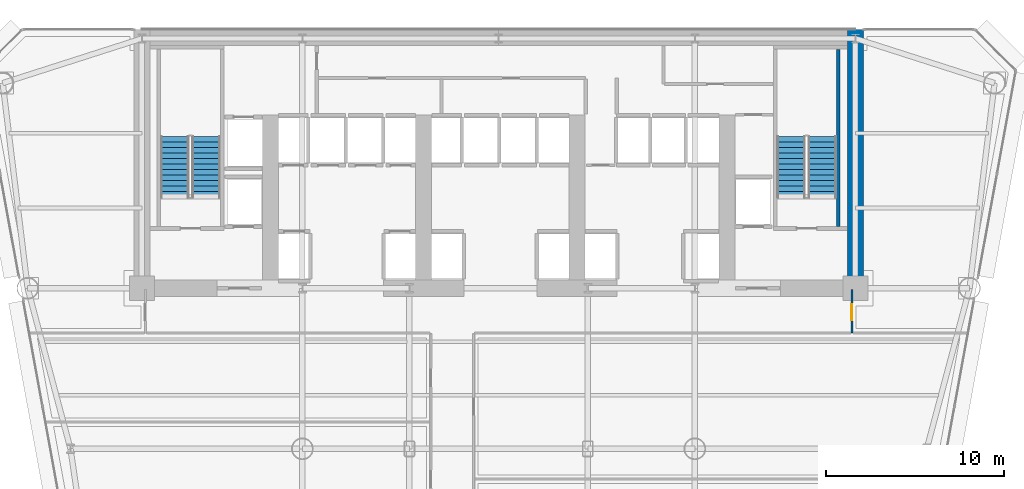
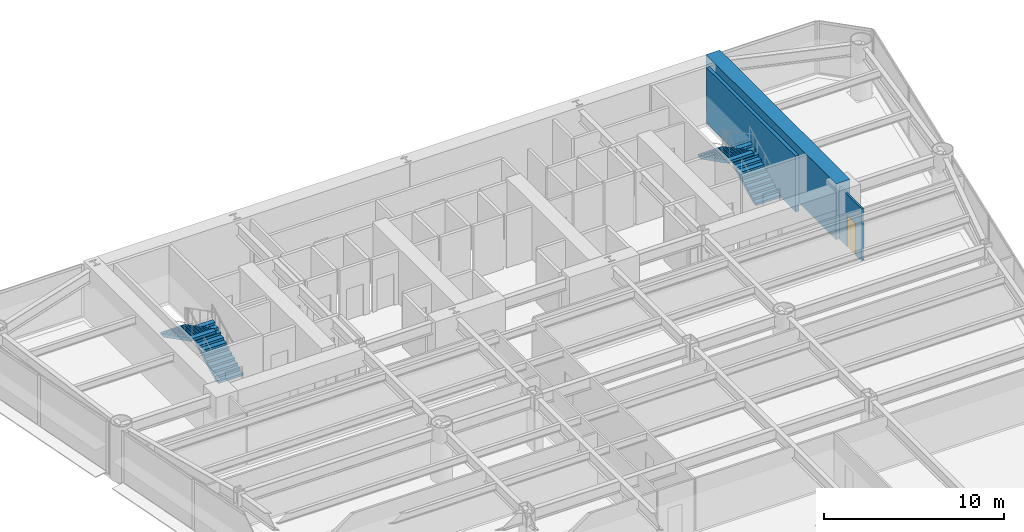
# One storey, part 10 of 14: 4 stair flights, 3 walls, 1 door, 1 opening, 2 elements without a shape of their own.
"""IFC4 building model written with IfcOpenShell, lengths in metres."""

from ifc_helpers import new_model, si_unit, direction, frame, frame_2d, origin, place, context, subcontext, project, spatial, polyline, rectangle, outline, extrude, source, transform, mapped, material, layer, layer_set, type_object, element, fill, aggregate, save


model = new_model("IFC4")

# Units and contexts
model_context = context("Model", 3, precision=1e-05, world=origin(), true_north=direction((0.0, 1.0)))
body_context = subcontext(model_context, "Body", "Model", "MODEL_VIEW")
ifc_project = project(units=[si_unit("LENGTHUNIT", "METRE"), si_unit("AREAUNIT", "SQUARE_METRE"), si_unit("VOLUMEUNIT", "CUBIC_METRE"), si_unit("PLANEANGLEUNIT", "RADIAN"), si_unit("MASSUNIT", "GRAM", prefix="KILO")], contexts=[model_context])

# Site, building, storey
site_placement = place(None, origin())
site = spatial("IfcSite", under=ifc_project, at=site_placement, CompositionType="ELEMENT")
building_placement = place(site_placement, origin())
building = spatial("IfcBuilding", under=site, at=building_placement, Name="Vaeldorn Concourse Tower", CompositionType="ELEMENT")
storey_placement = place(building_placement, frame((0.0, 0.0, 75.800048828125)))
storey = spatial("IfcBuildingStorey", under=building, at=storey_placement, Name="L19", CompositionType="ELEMENT", Elevation=75.800048828125)

# Wall
ifc_material_1 = material(Name="Concrete C60/75", Category="concrete")
ifc_layer_1 = layer(ifc_material_1, 0.89990234375)
ifc_layer_set_1 = layer_set([ifc_layer_1], Name="Concrete C60/75")
wall_type_1 = type_object("IfcWallType", Name="WL-CORE-900", PredefinedType="SHEAR", material=ifc_layer_set_1)
wall_1_placement = place(storey_placement, frame((54.0, 36.5, 0.0), z_axis=(0.0, 0.0, 1.0), x_axis=(0.0, 1.0, 0.0)))
element("IfcWall", 1, at=wall_1_placement, inside=storey, type_object=wall_type_1, Name="Rear Core Shear Wall L19 E1", PredefinedType="SHEAR", context=body_context, shape_type="SweptSolid", body=[
    extrude(rectangle(XDim=14.5, YDim=0.89990234375, at=frame_2d((7.25, 0.0))), origin(), (0.0, 0.0, 1.0), 3.800048828125),
])

# Wall, opening, door
ifc_material_2 = material(Name="Gypsum Board Partition", Category="gypsum")
ifc_layer_2 = layer(ifc_material_2, 0.1201171875)
ifc_layer_set_2 = layer_set([ifc_layer_2], Name="Gypsum Board Partition")
wall_type_2 = type_object("IfcWallType", Name="WL-PART-120", PredefinedType="PARTITIONING", material=ifc_layer_set_2)
wall_2_placement = place(storey_placement, frame((53.800048828125, 34.0, 0.0), z_axis=(0.0, 0.0, 1.0), x_axis=(0.0, 1.0, 0.0)))
wall_2 = element("IfcWall", 2, at=wall_2_placement, inside=storey, type_object=wall_type_2, Name="Interior Wall PW-L19-C3E", PredefinedType="PARTITIONING", context=body_context, shape_type="SweptSolid", body=[
    extrude(rectangle(XDim=2.43994140625, YDim=0.1201171875, at=frame_2d((1.219970703125, 0.0))), origin(), (0.0, 0.0, 1.0), 3.579833984375),
])
opening_placement = place(wall_2_placement, frame((0.699951171875, 0.0, 0.0)))
opening = element("IfcOpeningElement", 3, at=opening_placement, cuts=wall_2, Name="Opening D-03", PredefinedType="OPENING", context=body_context, shape_type="SweptSolid", body=[
    extrude(rectangle(XDim=0.89990234375, YDim=2.14990234375, at=frame_2d((0.449951171875, 1.074951171875))), frame((0.0, 0.070068359375, 0.0), z_axis=(0.0, -1.0, 0.0), x_axis=(1.0, 0.0, 0.0)), (0.0, 0.0, 1.0), 0.14013671875),
])
ifc_material_3 = material(Name="Acoustic Bronze-Framed Glass Door", Category="glass")
door_type = type_object("IfcDoorType", Name="DR-INT-900", OperationType="NOTDEFINED", PredefinedType="DOOR", material=ifc_material_3)
shared_shape = source(origin(), body_context, "Body", "SweptSolid", [
    extrude(rectangle(XDim=0.89990234375, YDim=2.14990234375, at=frame_2d((0.449951171875, 1.074951171875))), frame((0.0, 0.02490234375, 0.0), z_axis=(0.0, -1.0, 0.0), x_axis=(1.0, 0.0, 0.0)), (0.0, 0.0, 1.0), 0.050048828125),
])
door_placement = place(opening_placement, origin())
door = element("IfcDoor", 4, at=door_placement, inside=storey, type_object=door_type, Name="Interior Door DR-L19-Z3NE", OperationType="SINGLE_SWING_RIGHT", OverallHeight=2.14990234375, OverallWidth=0.89990234375, PredefinedType="DOOR", context=body_context, shape_type="MappedRepresentation", body=[
    mapped(shared_shape, transform((0.0, 0.0, 0.0), scale=1.0)),
])
fill(opening, door)

# Wall
ifc_material_4 = material(Name="Concrete C50/60", Category="concrete")
ifc_layer_3 = layer(ifc_material_4, 0.199951171875)
ifc_layer_set_3 = layer_set([ifc_layer_3], Name="Concrete C50/60")
wall_type_3 = type_object("IfcWallType", Name="WL-SHAFT-200", PredefinedType="SOLIDWALL", material=ifc_layer_set_3)
wall_3_placement = place(storey_placement, frame((53.050048828125, 39.9599609375, 0.0), z_axis=(0.0, 0.0, 1.0), x_axis=(0.0, 1.0, 0.0)))
element("IfcWall", 5, at=wall_3_placement, inside=storey, type_object=wall_type_3, Name="Stair Shaft Wall CW-L19-ST-2-E", PredefinedType="SOLIDWALL", context=body_context, shape_type="SweptSolid", body=[
    extrude(rectangle(XDim=9.929931640625, YDim=0.199951171875, at=frame_2d((4.96484375, 0.0))), origin(), (0.0, 0.0, 1.0), 3.800048828125),
])

# Stair, stair flights
ifc_material_5 = material(Name="Precast concrete C40/50", Category="concrete")
stair_type = type_object("IfcStairType", Name="STR-DOG-24x158", PredefinedType="HALF_TURN_STAIR", material=ifc_material_5)
stair_1_placement = place(storey_placement, origin())
stair_1 = element("IfcStair", 6, at=stair_1_placement, inside=storey, type_object=stair_type, Name="L19 West Core Exit Stair ST-1", PredefinedType="HALF_TURN_STAIR")
stair_flight_type = type_object("IfcStairFlightType", Name="STF-STR-12x158", PredefinedType="STRAIGHT", material=ifc_material_5)
stair_flight_1_placement = place(storey_placement, frame((17.60009765625, 41.60009765625, 0.0), z_axis=(0.0, 0.0, 1.0), x_axis=(0.0, 1.0, 0.0)))
stair_flight_1 = element("IfcStairFlight", 7, at=stair_flight_1_placement, type_object=stair_flight_type, Name="ST-1 flight 1", NumberOfRisers=12, NumberOfTreads=11, PredefinedType="STRAIGHT", RiserHeight=0.158333333, TreadLength=0.31, context=body_context, shape_type="SweptSolid", body=[
    extrude(outline(polyline([(0.0, 0.0), (0.0, 0.158447265625), (0.31005859375, 0.158447265625), (0.31005859375, 0.316650390625), (0.6201171875, 0.316650390625), (0.6201171875, 0.47509765625), (0.929931640625, 0.47509765625), (0.929931640625, 0.63330078125), (1.239990234375, 0.63330078125), (1.239990234375, 0.791748046875), (1.550048828125, 0.791748046875), (1.550048828125, 0.949951171875), (1.860107421875, 0.949951171875), (1.860107421875, 1.1083984375), (2.169921875, 1.1083984375), (2.169921875, 1.2666015625), (2.47998046875, 1.2666015625), (2.47998046875, 1.425048828125), (2.7900390625, 1.425048828125), (2.7900390625, 1.583251953125), (3.10009765625, 1.583251953125), (3.10009765625, 1.74169921875), (3.409912109375, 1.74169921875), (3.409912109375, 1.89990234375), (3.409912109375, 1.5732421875), (0.32958984375, 0.0), (0.0, 0.0)])), frame((0.0, 0.800048828125, 0.0), z_axis=(0.0, -1.0, 0.0), x_axis=(1.0, 0.0, 0.0)), (0.0, 0.0, 1.0), 1.60009765625),
])
stair_flight_2_placement = place(storey_placement, frame((15.85009765625, 45.010009765625, 1.89990234375), z_axis=(0.0, 0.0, 1.0), x_axis=(0.0, -1.0, 0.0)))
stair_flight_2 = element("IfcStairFlight", 8, at=stair_flight_2_placement, type_object=stair_flight_type, Name="ST-1 flight 2", NumberOfRisers=12, NumberOfTreads=11, PredefinedType="STRAIGHT", RiserHeight=0.158333333, TreadLength=0.31, context=body_context, shape_type="SweptSolid", body=[
    extrude(outline(polyline([(0.0, 0.0), (0.0, 0.158447265625), (0.31005859375, 0.158447265625), (0.31005859375, 0.316650390625), (0.6201171875, 0.316650390625), (0.6201171875, 0.47509765625), (0.929931640625, 0.47509765625), (0.929931640625, 0.63330078125), (1.239990234375, 0.63330078125), (1.239990234375, 0.791748046875), (1.550048828125, 0.791748046875), (1.550048828125, 0.949951171875), (1.860107421875, 0.949951171875), (1.860107421875, 1.1083984375), (2.169921875, 1.1083984375), (2.169921875, 1.2666015625), (2.47998046875, 1.2666015625), (2.47998046875, 1.425048828125), (2.7900390625, 1.425048828125), (2.7900390625, 1.583251953125), (3.10009765625, 1.583251953125), (3.10009765625, 1.74169921875), (3.409912109375, 1.74169921875), (3.409912109375, 1.89990234375), (3.409912109375, 1.5732421875), (0.32958984375, 0.0), (0.0, 0.0)])), frame((0.0, 0.800048828125, 0.0), z_axis=(0.0, -1.0, 0.0), x_axis=(1.0, 0.0, 0.0)), (0.0, 0.0, 1.0), 1.60009765625),
])
aggregate(stair_1, [stair_flight_1, stair_flight_2])

stair_2_placement = place(storey_placement, origin())
stair_2 = element("IfcStair", 9, at=stair_2_placement, inside=storey, type_object=stair_type, Name="L19 East Core Exit Stair ST-2", PredefinedType="HALF_TURN_STAIR")
stair_flight_3_placement = place(storey_placement, frame((52.14990234375, 41.60009765625, 0.0), z_axis=(0.0, 0.0, 1.0), x_axis=(0.0, 1.0, 0.0)))
stair_flight_3 = element("IfcStairFlight", 10, at=stair_flight_3_placement, type_object=stair_flight_type, Name="ST-2 flight 1", NumberOfRisers=12, NumberOfTreads=11, PredefinedType="STRAIGHT", RiserHeight=0.158333333, TreadLength=0.31, context=body_context, shape_type="SweptSolid", body=[
    extrude(outline(polyline([(0.0, 0.0), (0.0, 0.158447265625), (0.31005859375, 0.158447265625), (0.31005859375, 0.316650390625), (0.6201171875, 0.316650390625), (0.6201171875, 0.47509765625), (0.929931640625, 0.47509765625), (0.929931640625, 0.63330078125), (1.239990234375, 0.63330078125), (1.239990234375, 0.791748046875), (1.550048828125, 0.791748046875), (1.550048828125, 0.949951171875), (1.860107421875, 0.949951171875), (1.860107421875, 1.1083984375), (2.169921875, 1.1083984375), (2.169921875, 1.2666015625), (2.47998046875, 1.2666015625), (2.47998046875, 1.425048828125), (2.7900390625, 1.425048828125), (2.7900390625, 1.583251953125), (3.10009765625, 1.583251953125), (3.10009765625, 1.74169921875), (3.409912109375, 1.74169921875), (3.409912109375, 1.89990234375), (3.409912109375, 1.5732421875), (0.32958984375, 0.0), (0.0, 0.0)])), frame((0.0, 0.800048828125, 0.0), z_axis=(0.0, -1.0, 0.0), x_axis=(1.0, 0.0, 0.0)), (0.0, 0.0, 1.0), 1.60009765625),
])
stair_flight_4_placement = place(storey_placement, frame((50.39990234375, 45.010009765625, 1.89990234375), z_axis=(0.0, 0.0, 1.0), x_axis=(0.0, -1.0, 0.0)))
stair_flight_4 = element("IfcStairFlight", 11, at=stair_flight_4_placement, type_object=stair_flight_type, Name="ST-2 flight 2", NumberOfRisers=12, NumberOfTreads=11, PredefinedType="STRAIGHT", RiserHeight=0.158333333, TreadLength=0.31, context=body_context, shape_type="SweptSolid", body=[
    extrude(outline(polyline([(0.0, 0.0), (0.0, 0.158447265625), (0.31005859375, 0.158447265625), (0.31005859375, 0.316650390625), (0.6201171875, 0.316650390625), (0.6201171875, 0.47509765625), (0.929931640625, 0.47509765625), (0.929931640625, 0.63330078125), (1.239990234375, 0.63330078125), (1.239990234375, 0.791748046875), (1.550048828125, 0.791748046875), (1.550048828125, 0.949951171875), (1.860107421875, 0.949951171875), (1.860107421875, 1.1083984375), (2.169921875, 1.1083984375), (2.169921875, 1.2666015625), (2.47998046875, 1.2666015625), (2.47998046875, 1.425048828125), (2.7900390625, 1.425048828125), (2.7900390625, 1.583251953125), (3.10009765625, 1.583251953125), (3.10009765625, 1.74169921875), (3.409912109375, 1.74169921875), (3.409912109375, 1.89990234375), (3.409912109375, 1.5732421875), (0.32958984375, 0.0), (0.0, 0.0)])), frame((0.0, 0.800048828125, 0.0), z_axis=(0.0, -1.0, 0.0), x_axis=(1.0, 0.0, 0.0)), (0.0, 0.0, 1.0), 1.60009765625),
])
aggregate(stair_2, [stair_flight_3, stair_flight_4])

save(model, "model.ifc")
